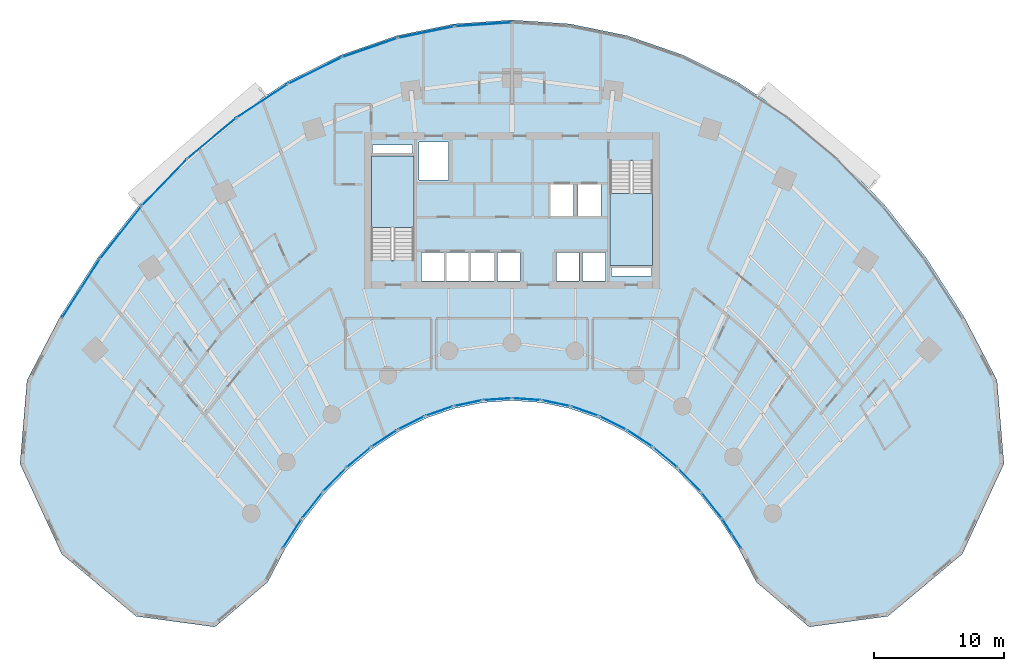
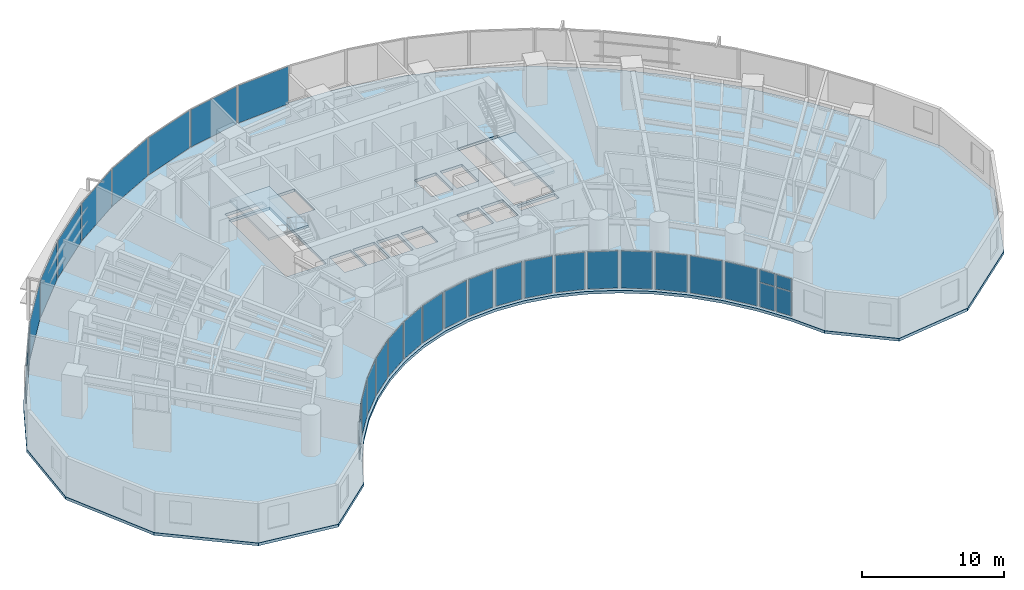
# One storey, part 9 of 17: 33 plates, 3 slabs, 29 elements without a shape of their own.
"""IFC4 building model written with IfcOpenShell, lengths in metres."""

from ifc_helpers import new_model, si_unit, direction, frame, origin, origin_2d, place, context, subcontext, project, spatial, polyline, rectangle, outline, extrude, source, transform, mapped, material, layer, layer_set, type_object, type_shapes, element, aggregate, save


model = new_model("IFC4")

# Units and contexts
model_context = context("Model", 3, precision=1e-05, world=origin(), true_north=direction((0.0, 1.0)))
body_context = subcontext(model_context, "Body", "Model", "MODEL_VIEW")
ifc_project = project(units=[si_unit("LENGTHUNIT", "METRE"), si_unit("AREAUNIT", "SQUARE_METRE"), si_unit("VOLUMEUNIT", "CUBIC_METRE"), si_unit("PLANEANGLEUNIT", "RADIAN"), si_unit("MASSUNIT", "GRAM", prefix="KILO")], contexts=[model_context])

# Site, building, storey
site_placement = place(None, origin())
site = spatial("IfcSite", under=ifc_project, at=site_placement, CompositionType="ELEMENT")
building_placement = place(site_placement, origin())
building = spatial("IfcBuilding", under=site, at=building_placement, Name="Breltana Convention Tower", CompositionType="ELEMENT")
storey_placement = place(building_placement, frame((0.0, 0.0, 75.0)))
storey = spatial("IfcBuildingStorey", under=building, at=storey_placement, Name="L17", CompositionType="ELEMENT", Elevation=75.0)

# Slab
ifc_material_1 = material(Name="Concrete C40/50", Category="concrete")
ifc_layer_1 = layer(ifc_material_1, 0.239990234375, Name="Concrete C40/50")
ifc_layer_set_1 = layer_set([ifc_layer_1], Name="Concrete C40/50")
slab_type_1 = type_object("IfcSlabType", Name="SL-HTL-240", PredefinedType="FLOOR", material=ifc_layer_set_1)
slab_1_placement = place(storey_placement, frame((0.0, 0.0, -0.239990234375)))
element("IfcSlab", 1, at=slab_1_placement, inside=storey, type_object=slab_type_1, Name="L17 Suspended Structural Floor Slab", PredefinedType="FLOOR", context=body_context, shape_type="SweptSolid", body=[
    extrude(outline(polyline([(85.229248046875, 53.173095703125), (82.687744140625, 58.054931640625), (79.791015625, 62.567626953125), (76.569091796875, 66.664794921875), (73.05419921875, 70.304931640625), (69.283203125, 73.450439453125), (65.2939453125, 76.069091796875), (61.1279296875, 78.134033203125), (56.827392578125, 79.62451171875), (52.436279296875, 80.52490234375), (48.0, 80.825927734375), (43.563720703125, 80.52490234375), (39.172607421875, 79.62451171875), (34.8720703125, 78.134033203125), (30.7060546875, 76.069091796875), (26.716796875, 73.450439453125), (22.94580078125, 70.304931640625), (19.430908203125, 66.664794921875), (16.208984375, 62.567626953125), (13.312255859375, 58.054931640625), (10.770751953125, 53.173095703125), (10.234619140625, 46.75927734375), (13.433837890625, 39.8388671875), (19.14697265625, 35.055419921875), (25.191162109375, 34.235595703125), (29.258056640625, 37.693115234375), (30.53759765625, 40.150634765625), (31.995849609375, 42.42236328125), (33.617919921875, 44.485107421875), (35.38720703125, 46.3173828125), (37.28564453125, 47.90087890625), (39.2939453125, 49.21923828125), (41.39111328125, 50.2587890625), (43.55615234375, 51.009033203125), (45.7666015625, 51.46240234375), (48.0, 51.614013671875), (50.2333984375, 51.46240234375), (52.44384765625, 51.009033203125), (54.60888671875, 50.2587890625), (56.7060546875, 49.21923828125), (58.71435546875, 47.90087890625), (60.61279296875, 46.3173828125), (62.382080078125, 44.485107421875), (64.004150390625, 42.42236328125), (65.46240234375, 40.150634765625), (66.741943359375, 37.693115234375), (70.808837890625, 34.235595703125), (76.85302734375, 35.055419921875), (82.566162109375, 39.8388671875), (85.765380859375, 46.75927734375), (85.229248046875, 53.173095703125)]), holes=[polyline([(37.199951171875, 62.385009765625), (40.469970703125, 62.385009765625), (40.469970703125, 70.39990234375), (37.199951171875, 70.39990234375), (37.199951171875, 62.385009765625)]), polyline([(55.530029296875, 62.0), (58.800048828125, 62.0), (58.800048828125, 70.014892578125), (55.530029296875, 70.014892578125), (55.530029296875, 62.0)]), polyline([(41.0400390625, 60.800048828125), (42.800048828125, 60.800048828125), (42.800048828125, 62.97998046875), (41.0400390625, 62.97998046875), (41.0400390625, 60.800048828125)]), polyline([(42.93994140625, 60.800048828125), (44.699951171875, 60.800048828125), (44.699951171875, 62.97998046875), (42.93994140625, 62.97998046875), (42.93994140625, 60.800048828125)]), polyline([(44.8701171875, 60.800048828125), (46.6298828125, 60.800048828125), (46.6298828125, 62.97998046875), (44.8701171875, 62.97998046875), (44.8701171875, 60.800048828125)]), polyline([(46.8701171875, 60.800048828125), (48.6298828125, 60.800048828125), (48.6298828125, 62.97998046875), (46.8701171875, 62.97998046875), (46.8701171875, 60.800048828125)]), polyline([(51.39990234375, 60.800048828125), (53.159912109375, 60.800048828125), (53.159912109375, 62.97998046875), (51.39990234375, 62.97998046875), (51.39990234375, 60.800048828125)]), polyline([(53.39990234375, 60.800048828125), (55.159912109375, 60.800048828125), (55.159912109375, 62.97998046875), (53.39990234375, 62.97998046875), (53.39990234375, 60.800048828125)]), polyline([(50.969970703125, 65.800048828125), (52.72998046875, 65.800048828125), (52.72998046875, 68.179931640625), (50.969970703125, 68.179931640625), (50.969970703125, 65.800048828125)]), polyline([(53.070068359375, 65.800048828125), (54.830078125, 65.800048828125), (54.830078125, 68.179931640625), (53.070068359375, 68.179931640625), (53.070068359375, 65.800048828125)]), polyline([(40.8798828125, 68.550048828125), (43.1201171875, 68.550048828125), (43.1201171875, 71.449951171875), (40.8798828125, 71.449951171875), (40.8798828125, 68.550048828125)]), polyline([(37.300048828125, 70.60009765625), (40.3798828125, 70.60009765625), (40.3798828125, 71.219970703125), (37.300048828125, 71.219970703125), (37.300048828125, 70.60009765625)]), polyline([(55.6201171875, 61.179931640625), (58.699951171875, 61.179931640625), (58.699951171875, 61.800048828125), (55.6201171875, 61.800048828125), (55.6201171875, 61.179931640625)])]), origin(), (0.0, 0.0, 1.0), 0.239990234375),
])

# Stair, slab
stair_type = type_object("IfcStairType", Name="ST-DOG-1560-R180", PredefinedType="HALF_TURN_STAIR", material=ifc_material_1)
stair_1_placement = place(storey_placement, origin())
stair_1 = element("IfcStair", 2, at=stair_1_placement, inside=storey, type_object=stair_type, Name="L17 Protected Core Exit Stair ST-1", PredefinedType="HALF_TURN_STAIR")
ifc_layer_2 = layer(ifc_material_1, 0.199951171875, Name="Concrete C40/50")
ifc_layer_set_2 = layer_set([ifc_layer_2], Name="Concrete C40/50")
slab_type_2 = type_object("IfcSlabType", Name="SL-STAIR-LANDING-200", PredefinedType="LANDING", material=ifc_layer_set_2)
slab_2_placement = place(storey_placement, frame((0.0, 0.0, 1.60009765625)))
slab_2 = element("IfcSlab", 3, at=slab_2_placement, type_object=slab_type_2, Name="ST-1 landing 1", PredefinedType="LANDING", context=body_context, shape_type="SweptSolid", body=[
    extrude(outline(polyline([(40.469970703125, 64.8798828125), (40.469970703125, 70.39990234375), (37.199951171875, 70.39990234375), (37.199951171875, 64.8798828125), (40.469970703125, 64.8798828125)])), origin(), (0.0, 0.0, 1.0), 0.199951171875),
])
aggregate(stair_1, [slab_2])

stair_2_placement = place(storey_placement, origin())
stair_2 = element("IfcStair", 4, at=stair_2_placement, inside=storey, type_object=stair_type, Name="L17 Protected Core Exit Stair ST-2", PredefinedType="HALF_TURN_STAIR")
slab_3_placement = place(storey_placement, frame((0.0, 0.0, 1.60009765625)))
slab_3 = element("IfcSlab", 5, at=slab_3_placement, type_object=slab_type_2, Name="ST-2 landing 1", PredefinedType="LANDING", context=body_context, shape_type="SweptSolid", body=[
    extrude(outline(polyline([(55.530029296875, 67.52001953125), (55.530029296875, 62.0), (58.800048828125, 62.0), (58.800048828125, 67.52001953125), (55.530029296875, 67.52001953125)])), origin(), (0.0, 0.0, 1.0), 0.199951171875),
])
aggregate(stair_2, [slab_3])

# Curtain wall, plates
ifc_material_2 = material(Name="Aluminium Anodised Bronze Frame", Category="aluminium")
ifc_layer_3 = layer(ifc_material_2, 0.18994140625, Name="Aluminium Anodised Bronze Frame")
ifc_layer_set_3 = layer_set([ifc_layer_3], Name="Aluminium Anodised Bronze Frame")
curtain_wall_type_1 = type_object("IfcCurtainWallType", Name="CW-SYS-1", PredefinedType="NOTDEFINED", material=ifc_layer_set_3)
curtain_wall_1_placement = place(storey_placement, origin())
curtain_wall_1 = element("IfcCurtainWall", 6, at=curtain_wall_1_placement, inside=storey, type_object=curtain_wall_type_1, Name="L17 inner south-court glazing 1", PredefinedType="NOTDEFINED")
ifc_material_3 = material(Name="Glass Low-E Double Glazing", Category="glass")
ifc_layer_4 = layer(ifc_material_3, 0.028076171875, Name="Glass Low-E Double Glazing")
ifc_layer_set_4 = layer_set([ifc_layer_4], Name="Glass Low-E Double Glazing")
plate_type_1 = type_object("IfcPlateType", Name="CWP-IGU-28", PredefinedType="CURTAIN_PANEL", material=ifc_layer_set_4)
shared_shape_1 = source(origin(), body_context, "Body", "SweptSolid", [
    extrude(rectangle(XDim=1.229736328125, YDim=0.028076171875, at=origin_2d()), origin(), (0.0, 0.0, 1.0), 2.06396484375),
])
plate_1_placement = place(storey_placement, frame((65.238525390625, 40.83251953125, 0.080078125), z_axis=(0.0, 0.0, 1.0), x_axis=(-0.540169576197, 0.841556194767, 0.0)))
plate_1 = element("IfcPlate", 7, at=plate_1_placement, type_object=plate_type_1, Name="CW-01 panel 1.1", PredefinedType="CURTAIN_PANEL", context=body_context, shape_type="MappedRepresentation", body=[
    mapped(shared_shape_1, transform((0.0, 0.0, 0.0), scale=1.0)),
])
plate_2_placement = place(storey_placement, frame((64.531005859375, 41.934814453125, 0.080078125), z_axis=(0.0, 0.0, 1.0), x_axis=(-0.540169576197, 0.841556194767, 0.0)))
plate_2 = element("IfcPlate", 8, at=plate_2_placement, type_object=plate_type_1, Name="CW-01 panel 2.1", PredefinedType="CURTAIN_PANEL", context=body_context, shape_type="MappedRepresentation", body=[
    mapped(shared_shape_1, transform((0.0, 0.0, 0.0), scale=1.0)),
])
shared_shape_2 = source(origin(), body_context, "Body", "SweptSolid", [
    extrude(rectangle(XDim=1.229736328125, YDim=0.028076171875, at=origin_2d()), origin(), (0.0, 0.0, 1.0), 1.055908203125),
])
plate_3_placement = place(storey_placement, frame((65.238525390625, 40.83251953125, 2.22412109375), z_axis=(0.0, 0.0, 1.0), x_axis=(-0.540169576197, 0.841556194767, 0.0)))
plate_3 = element("IfcPlate", 9, at=plate_3_placement, type_object=plate_type_1, Name="CW-01 panel 1.2", PredefinedType="CURTAIN_PANEL", context=body_context, shape_type="MappedRepresentation", body=[
    mapped(shared_shape_2, transform((0.0, 0.0, 0.0), scale=1.0)),
])
plate_4_placement = place(storey_placement, frame((64.531005859375, 41.934814453125, 2.22412109375), z_axis=(0.0, 0.0, 1.0), x_axis=(-0.540169576197, 0.841556194767, 0.0)))
plate_4 = element("IfcPlate", 10, at=plate_4_placement, type_object=plate_type_1, Name="CW-01 panel 2.2", PredefinedType="CURTAIN_PANEL", context=body_context, shape_type="MappedRepresentation", body=[
    mapped(shared_shape_2, transform((0.0, 0.0, 0.0), scale=1.0)),
])
aggregate(curtain_wall_1, [plate_1, plate_3, plate_2, plate_4])

# Curtain wall, plate
curtain_wall_2_placement = place(storey_placement, origin())
curtain_wall_2 = element("IfcCurtainWall", 11, at=curtain_wall_2_placement, inside=storey, type_object=curtain_wall_type_1, Name="L17 inner south-court glazing 2", PredefinedType="NOTDEFINED")
shared_shape_3 = source(origin(), body_context, "Body", "SweptSolid", [
    extrude(rectangle(XDim=2.464111328125, YDim=0.028076171875, at=origin_2d()), origin(), (0.0, 0.0, 1.0), 3.199951171875),
])
plate_5_placement = place(storey_placement, frame((63.334716796875, 43.56494140625, 0.080078125), z_axis=(0.0, 0.0, 1.0), x_axis=(-0.61815305034, 0.786057762734, 0.0)))
plate_5 = element("IfcPlate", 12, at=plate_5_placement, type_object=plate_type_1, Name="CW-01 panel 1.1", PredefinedType="CURTAIN_PANEL", context=body_context, shape_type="MappedRepresentation", body=[
    mapped(shared_shape_3, transform((0.0, 0.0, 0.0), scale=1.0)),
])
aggregate(curtain_wall_2, [plate_5])

curtain_wall_3_placement = place(storey_placement, origin())
curtain_wall_3 = element("IfcCurtainWall", 13, at=curtain_wall_3_placement, inside=storey, type_object=curtain_wall_type_1, Name="L17 inner south-court glazing 17", PredefinedType="NOTDEFINED")
plate_6_placement = place(storey_placement, frame((32.665283203125, 43.56494140625, 0.080078125), z_axis=(0.0, 0.0, 1.0), x_axis=(-0.61815305034, -0.786057762734, 0.0)))
plate_6 = element("IfcPlate", 14, at=plate_6_placement, type_object=plate_type_1, Name="CW-01 panel 1.1", PredefinedType="CURTAIN_PANEL", context=body_context, shape_type="MappedRepresentation", body=[
    mapped(shared_shape_3, transform((0.0, 0.0, 0.0), scale=1.0)),
])
aggregate(curtain_wall_3, [plate_6])

curtain_wall_4_placement = place(storey_placement, origin())
curtain_wall_4 = element("IfcCurtainWall", 15, at=curtain_wall_4_placement, inside=storey, type_object=curtain_wall_type_1, Name="L17 inner south-court glazing 3", PredefinedType="NOTDEFINED")
shared_shape_4 = source(origin(), body_context, "Body", "SweptSolid", [
    extrude(rectangle(XDim=2.38720703125, YDim=0.028076171875, at=origin_2d()), origin(), (0.0, 0.0, 1.0), 3.199951171875),
])
plate_7_placement = place(storey_placement, frame((61.626953125, 45.5263671875, 0.080078125), z_axis=(0.0, 0.0, 1.0), x_axis=(-0.694612029111, 0.719384548773, 0.0)))
plate_7 = element("IfcPlate", 16, at=plate_7_placement, type_object=plate_type_1, Name="CW-01 panel 1.1", PredefinedType="CURTAIN_PANEL", context=body_context, shape_type="MappedRepresentation", body=[
    mapped(shared_shape_4, transform((0.0, 0.0, 0.0), scale=1.0)),
])
aggregate(curtain_wall_4, [plate_7])

curtain_wall_5_placement = place(storey_placement, origin())
curtain_wall_5 = element("IfcCurtainWall", 17, at=curtain_wall_5_placement, inside=storey, type_object=curtain_wall_type_1, Name="L17 inner south-court glazing 16", PredefinedType="NOTDEFINED")
plate_8_placement = place(storey_placement, frame((34.373046875, 45.5263671875, 0.080078125), z_axis=(0.0, 0.0, 1.0), x_axis=(-0.694612029111, -0.719384548773, 0.0)))
plate_8 = element("IfcPlate", 18, at=plate_8_placement, type_object=plate_type_1, Name="CW-01 panel 1.1", PredefinedType="CURTAIN_PANEL", context=body_context, shape_type="MappedRepresentation", body=[
    mapped(shared_shape_4, transform((0.0, 0.0, 0.0), scale=1.0)),
])
aggregate(curtain_wall_5, [plate_8])

curtain_wall_6_placement = place(storey_placement, origin())
curtain_wall_6 = element("IfcCurtainWall", 19, at=curtain_wall_6_placement, inside=storey, type_object=curtain_wall_type_1, Name="L17 inner south-court glazing 4", PredefinedType="NOTDEFINED")
shared_shape_5 = source(origin(), body_context, "Body", "SweptSolid", [
    extrude(rectangle(XDim=2.312255859375, YDim=0.028076171875, at=origin_2d()), origin(), (0.0, 0.0, 1.0), 3.199951171875),
])
plate_9_placement = place(storey_placement, frame((59.77880859375, 47.24755859375, 0.080078125), z_axis=(0.0, 0.0, 1.0), x_axis=(-0.767939382804, 0.640522524458, 0.0)))
plate_9 = element("IfcPlate", 20, at=plate_9_placement, type_object=plate_type_1, Name="CW-01 panel 1.1", PredefinedType="CURTAIN_PANEL", context=body_context, shape_type="MappedRepresentation", body=[
    mapped(shared_shape_5, transform((0.0, 0.0, 0.0), scale=1.0)),
])
aggregate(curtain_wall_6, [plate_9])

curtain_wall_7_placement = place(storey_placement, origin())
curtain_wall_7 = element("IfcCurtainWall", 21, at=curtain_wall_7_placement, inside=storey, type_object=curtain_wall_type_1, Name="L17 inner south-court glazing 15", PredefinedType="NOTDEFINED")
plate_10_placement = place(storey_placement, frame((36.22119140625, 47.24755859375, 0.080078125), z_axis=(0.0, 0.0, 1.0), x_axis=(-0.767939382804, -0.640522524458, 0.0)))
plate_10 = element("IfcPlate", 22, at=plate_10_placement, type_object=plate_type_1, Name="CW-01 panel 1.1", PredefinedType="CURTAIN_PANEL", context=body_context, shape_type="MappedRepresentation", body=[
    mapped(shared_shape_5, transform((0.0, 0.0, 0.0), scale=1.0)),
])
aggregate(curtain_wall_7, [plate_10])

curtain_wall_8_placement = place(storey_placement, origin())
curtain_wall_8 = element("IfcCurtainWall", 23, at=curtain_wall_8_placement, inside=storey, type_object=curtain_wall_type_1, Name="L17 inner south-court glazing 5", PredefinedType="NOTDEFINED")
shared_shape_6 = source(origin(), body_context, "Body", "SweptSolid", [
    extrude(rectangle(XDim=2.2421875, YDim=0.028076171875, at=origin_2d()), origin(), (0.0, 0.0, 1.0), 3.199951171875),
])
plate_11_placement = place(storey_placement, frame((57.80908203125, 48.710693359375, 0.080078125), z_axis=(0.0, 0.0, 1.0), x_axis=(-0.835967942634, 0.548778278441, 0.0)))
plate_11 = element("IfcPlate", 24, at=plate_11_placement, type_object=plate_type_1, Name="CW-01 panel 1.1", PredefinedType="CURTAIN_PANEL", context=body_context, shape_type="MappedRepresentation", body=[
    mapped(shared_shape_6, transform((0.0, 0.0, 0.0), scale=1.0)),
])
aggregate(curtain_wall_8, [plate_11])

curtain_wall_9_placement = place(storey_placement, origin())
curtain_wall_9 = element("IfcCurtainWall", 25, at=curtain_wall_9_placement, inside=storey, type_object=curtain_wall_type_1, Name="L17 inner south-court glazing 14", PredefinedType="NOTDEFINED")
plate_12_placement = place(storey_placement, frame((38.19091796875, 48.710693359375, 0.080078125), z_axis=(0.0, 0.0, 1.0), x_axis=(-0.835967942634, -0.548778278441, 0.0)))
plate_12 = element("IfcPlate", 26, at=plate_12_placement, type_object=plate_type_1, Name="CW-01 panel 1.1", PredefinedType="CURTAIN_PANEL", context=body_context, shape_type="MappedRepresentation", body=[
    mapped(shared_shape_6, transform((0.0, 0.0, 0.0), scale=1.0)),
])
aggregate(curtain_wall_9, [plate_12])

curtain_wall_10_placement = place(storey_placement, origin())
curtain_wall_10 = element("IfcCurtainWall", 27, at=curtain_wall_10_placement, inside=storey, type_object=curtain_wall_type_1, Name="L17 inner south-court glazing 6", PredefinedType="NOTDEFINED")
shared_shape_7 = source(origin(), body_context, "Body", "SweptSolid", [
    extrude(rectangle(XDim=2.180908203125, YDim=0.028076171875, at=origin_2d()), origin(), (0.0, 0.0, 1.0), 3.199951171875),
])
plate_13_placement = place(storey_placement, frame((55.7373046875, 49.900390625, 0.080078125), z_axis=(0.0, 0.0, 1.0), x_axis=(-0.895968310315, 0.444117987602, 0.0)))
plate_13 = element("IfcPlate", 28, at=plate_13_placement, type_object=plate_type_1, Name="CW-01 panel 1.1", PredefinedType="CURTAIN_PANEL", context=body_context, shape_type="MappedRepresentation", body=[
    mapped(shared_shape_7, transform((0.0, 0.0, 0.0), scale=1.0)),
])
aggregate(curtain_wall_10, [plate_13])

curtain_wall_11_placement = place(storey_placement, origin())
curtain_wall_11 = element("IfcCurtainWall", 29, at=curtain_wall_11_placement, inside=storey, type_object=curtain_wall_type_1, Name="L17 inner south-court glazing 13", PredefinedType="NOTDEFINED")
plate_14_placement = place(storey_placement, frame((40.2626953125, 49.900390625, 0.080078125), z_axis=(0.0, 0.0, 1.0), x_axis=(-0.895968310315, -0.444117987602, 0.0)))
plate_14 = element("IfcPlate", 30, at=plate_14_placement, type_object=plate_type_1, Name="CW-01 panel 1.1", PredefinedType="CURTAIN_PANEL", context=body_context, shape_type="MappedRepresentation", body=[
    mapped(shared_shape_7, transform((0.0, 0.0, 0.0), scale=1.0)),
])
aggregate(curtain_wall_11, [plate_14])

curtain_wall_12_placement = place(storey_placement, origin())
curtain_wall_12 = element("IfcCurtainWall", 31, at=curtain_wall_12_placement, inside=storey, type_object=curtain_wall_type_1, Name="L17 inner south-court glazing 7", PredefinedType="NOTDEFINED")
shared_shape_8 = source(origin(), body_context, "Body", "SweptSolid", [
    extrude(rectangle(XDim=2.13134765625, YDim=0.028076171875, at=origin_2d()), origin(), (0.0, 0.0, 1.0), 3.199951171875),
])
plate_15_placement = place(storey_placement, frame((53.585205078125, 50.80419921875, 0.080078125), z_axis=(0.0, 0.0, 1.0), x_axis=(-0.944881211406, 0.327413341714, 0.0)))
plate_15 = element("IfcPlate", 32, at=plate_15_placement, type_object=plate_type_1, Name="CW-01 panel 1.1", PredefinedType="CURTAIN_PANEL", context=body_context, shape_type="MappedRepresentation", body=[
    mapped(shared_shape_8, transform((0.0, 0.0, 0.0), scale=1.0)),
])
aggregate(curtain_wall_12, [plate_15])

curtain_wall_13_placement = place(storey_placement, origin())
curtain_wall_13 = element("IfcCurtainWall", 33, at=curtain_wall_13_placement, inside=storey, type_object=curtain_wall_type_1, Name="L17 inner south-court glazing 12", PredefinedType="NOTDEFINED")
plate_16_placement = place(storey_placement, frame((42.414794921875, 50.80419921875, 0.080078125), z_axis=(0.0, 0.0, 1.0), x_axis=(-0.944881211406, -0.327413341714, 0.0)))
plate_16 = element("IfcPlate", 34, at=plate_16_placement, type_object=plate_type_1, Name="CW-01 panel 1.1", PredefinedType="CURTAIN_PANEL", context=body_context, shape_type="MappedRepresentation", body=[
    mapped(shared_shape_8, transform((0.0, 0.0, 0.0), scale=1.0)),
])
aggregate(curtain_wall_13, [plate_16])

curtain_wall_14_placement = place(storey_placement, origin())
curtain_wall_14 = element("IfcCurtainWall", 35, at=curtain_wall_14_placement, inside=storey, type_object=curtain_wall_type_1, Name="L17 inner south-court glazing 8", PredefinedType="NOTDEFINED")
shared_shape_9 = source(origin(), body_context, "Body", "SweptSolid", [
    extrude(rectangle(XDim=2.096435546875, YDim=0.028076171875, at=origin_2d()), origin(), (0.0, 0.0, 1.0), 3.199951171875),
])
plate_17_placement = place(storey_placement, frame((51.374755859375, 51.412109375, 0.080078125), z_axis=(0.0, 0.0, 1.0), x_axis=(-0.97961455393, 0.200886350278, 0.0)))
plate_17 = element("IfcPlate", 36, at=plate_17_placement, type_object=plate_type_1, Name="CW-01 panel 1.1", PredefinedType="CURTAIN_PANEL", context=body_context, shape_type="MappedRepresentation", body=[
    mapped(shared_shape_9, transform((0.0, 0.0, 0.0), scale=1.0)),
])
aggregate(curtain_wall_14, [plate_17])

curtain_wall_15_placement = place(storey_placement, origin())
curtain_wall_15 = element("IfcCurtainWall", 37, at=curtain_wall_15_placement, inside=storey, type_object=curtain_wall_type_1, Name="L17 inner south-court glazing 11", PredefinedType="NOTDEFINED")
plate_18_placement = place(storey_placement, frame((44.625244140625, 51.412109375, 0.080078125), z_axis=(0.0, 0.0, 1.0), x_axis=(-0.97961455393, -0.200886350278, 0.0)))
plate_18 = element("IfcPlate", 38, at=plate_18_placement, type_object=plate_type_1, Name="CW-01 panel 1.1", PredefinedType="CURTAIN_PANEL", context=body_context, shape_type="MappedRepresentation", body=[
    mapped(shared_shape_9, transform((0.0, 0.0, 0.0), scale=1.0)),
])
aggregate(curtain_wall_15, [plate_18])

curtain_wall_16_placement = place(storey_placement, origin())
curtain_wall_16 = element("IfcCurtainWall", 39, at=curtain_wall_16_placement, inside=storey, type_object=curtain_wall_type_1, Name="L17 inner south-court glazing 9", PredefinedType="NOTDEFINED")
shared_shape_10 = source(origin(), body_context, "Body", "SweptSolid", [
    extrude(rectangle(XDim=2.078369140625, YDim=0.028076171875, at=origin_2d()), origin(), (0.0, 0.0, 1.0), 3.199951171875),
])
plate_19_placement = place(storey_placement, frame((49.12890625, 51.7177734375, 0.080078125), z_axis=(0.0, 0.0, 1.0), x_axis=(-0.997703975371, 0.067725752326, 0.0)))
plate_19 = element("IfcPlate", 40, at=plate_19_placement, type_object=plate_type_1, Name="CW-01 panel 1.1", PredefinedType="CURTAIN_PANEL", context=body_context, shape_type="MappedRepresentation", body=[
    mapped(shared_shape_10, transform((0.0, 0.0, 0.0), scale=1.0)),
])
aggregate(curtain_wall_16, [plate_19])

curtain_wall_17_placement = place(storey_placement, origin())
curtain_wall_17 = element("IfcCurtainWall", 41, at=curtain_wall_17_placement, inside=storey, type_object=curtain_wall_type_1, Name="L17 inner south-court glazing 10", PredefinedType="NOTDEFINED")
plate_20_placement = place(storey_placement, frame((46.87109375, 51.7177734375, 0.080078125), z_axis=(0.0, 0.0, 1.0), x_axis=(-0.997703975371, -0.067725752326, 0.0)))
plate_20 = element("IfcPlate", 42, at=plate_20_placement, type_object=plate_type_1, Name="CW-01 panel 1.1", PredefinedType="CURTAIN_PANEL", context=body_context, shape_type="MappedRepresentation", body=[
    mapped(shared_shape_10, transform((0.0, 0.0, 0.0), scale=1.0)),
])
aggregate(curtain_wall_17, [plate_20])

curtain_wall_18_placement = place(storey_placement, origin())
curtain_wall_18 = element("IfcCurtainWall", 43, at=curtain_wall_18_placement, inside=storey, type_object=curtain_wall_type_1, Name="L17 inner south-court glazing 18", PredefinedType="NOTDEFINED")
shared_shape_11 = source(origin(), body_context, "Body", "SweptSolid", [
    extrude(rectangle(XDim=2.53955078125, YDim=0.028076171875, at=origin_2d()), origin(), (0.0, 0.0, 1.0), 3.199951171875),
])
plate_21_placement = place(storey_placement, frame((31.115234375, 41.3837890625, 0.080078125), z_axis=(0.0, 0.0, 1.0), x_axis=(-0.540169576197, -0.841556194767, 0.0)))
plate_21 = element("IfcPlate", 44, at=plate_21_placement, type_object=plate_type_1, Name="CW-01 panel 1.1", PredefinedType="CURTAIN_PANEL", context=body_context, shape_type="MappedRepresentation", body=[
    mapped(shared_shape_11, transform((0.0, 0.0, 0.0), scale=1.0)),
])
aggregate(curtain_wall_18, [plate_21])

# Curtain wall, plates
ifc_layer_5 = layer(ifc_material_2, 0.199951171875, Name="Aluminium Anodised Bronze Frame")
ifc_layer_set_5 = layer_set([ifc_layer_5], Name="Aluminium Anodised Bronze Frame")
curtain_wall_type_2 = type_object("IfcCurtainWallType", Name="CW-SYS-2", PredefinedType="NOTDEFINED", material=ifc_layer_set_5)
curtain_wall_19_placement = place(storey_placement, origin())
curtain_wall_19 = element("IfcCurtainWall", 45, at=curtain_wall_19_placement, inside=storey, type_object=curtain_wall_type_2, Name="L17 outer double-skin inner glazing 1", PredefinedType="NOTDEFINED")
ifc_layer_6 = layer(ifc_material_3, 0.031982421875, Name="Glass Low-E Double Glazing")
ifc_layer_set_6 = layer_set([ifc_layer_6], Name="Glass Low-E Double Glazing")
plate_type_2 = type_object("IfcPlateType", Name="CWP-IGU-32", PredefinedType="CURTAIN_PANEL", material=ifc_layer_set_6)
shared_shape_12 = source(origin(), body_context, "Body", "SweptSolid", [
    extrude(rectangle(XDim=2.56787109375, YDim=0.031982421875, at=origin_2d()), origin(), (0.0, 0.0, 1.0), 2.0791015625),
])
type_shapes(plate_type_2, [shared_shape_12])
plate_22_placement = place(storey_placement, frame((14.199462890625, 59.103759765625, 0.070068359375), z_axis=(0.0, 0.0, 1.0), x_axis=(0.540180724109, 0.841549039154, 0.0)))
plate_22 = element("IfcPlate", 46, at=plate_22_placement, type_object=plate_type_2, Name="CW-02 panel 1.1", PredefinedType="CURTAIN_PANEL", context=body_context, shape_type="MappedRepresentation", body=[
    mapped(shared_shape_12, transform((0.0, 0.0, 0.0), scale=1.0)),
])
plate_23_placement = place(storey_placement, frame((15.624267578125, 61.32373046875, 0.070068359375), z_axis=(0.0, 0.0, 1.0), x_axis=(0.540180724109, 0.841549039154, 0.0)))
plate_23 = element("IfcPlate", 47, at=plate_23_placement, type_object=plate_type_2, Name="CW-02 panel 2.1", PredefinedType="CURTAIN_PANEL", context=body_context, shape_type="MappedRepresentation", body=[
    mapped(shared_shape_12, transform((0.0, 0.0, 0.0), scale=1.0)),
])
shared_shape_13 = source(origin(), body_context, "Body", "SweptSolid", [
    extrude(rectangle(XDim=2.56787109375, YDim=0.031982421875, at=origin_2d()), origin(), (0.0, 0.0, 1.0), 1.071044921875),
])
plate_24_placement = place(storey_placement, frame((14.199462890625, 59.103759765625, 2.21875), z_axis=(0.0, 0.0, 1.0), x_axis=(0.540180724109, 0.841549039154, 0.0)))
plate_24 = element("IfcPlate", 48, at=plate_24_placement, type_object=plate_type_2, Name="CW-02 panel 1.2", PredefinedType="CURTAIN_PANEL", context=body_context, shape_type="MappedRepresentation", body=[
    mapped(shared_shape_13, transform((0.0, 0.0, 0.0), scale=1.0)),
])
plate_25_placement = place(storey_placement, frame((15.624267578125, 61.32373046875, 2.21875), z_axis=(0.0, 0.0, 1.0), x_axis=(0.540180724109, 0.841549039154, 0.0)))
plate_25 = element("IfcPlate", 49, at=plate_25_placement, type_object=plate_type_2, Name="CW-02 panel 2.2", PredefinedType="CURTAIN_PANEL", context=body_context, shape_type="MappedRepresentation", body=[
    mapped(shared_shape_13, transform((0.0, 0.0, 0.0), scale=1.0)),
])
aggregate(curtain_wall_19, [plate_22, plate_24, plate_23, plate_25])

# Curtain wall, plate
curtain_wall_20_placement = place(storey_placement, origin())
curtain_wall_20 = element("IfcCurtainWall", 50, at=curtain_wall_20_placement, inside=storey, type_object=curtain_wall_type_2, Name="L17 outer double-skin inner glazing 2", PredefinedType="NOTDEFINED")
shared_shape_14 = source(origin(), body_context, "Body", "SweptSolid", [
    extrude(rectangle(XDim=5.0546875, YDim=0.031982421875, at=origin_2d()), origin(), (0.0, 0.0, 1.0), 3.219970703125),
])
plate_26_placement = place(storey_placement, frame((17.961181640625, 64.504638671875, 0.06982421875), z_axis=(0.0, 0.0, 1.0), x_axis=(0.618153917633, 0.786057080698, 0.0)))
plate_26 = element("IfcPlate", 51, at=plate_26_placement, type_object=plate_type_2, Name="CW-02 panel 1.1", PredefinedType="CURTAIN_PANEL", context=body_context, shape_type="MappedRepresentation", body=[
    mapped(shared_shape_14, transform((0.0, 0.0, 0.0), scale=1.0)),
])
aggregate(curtain_wall_20, [plate_26])

curtain_wall_21_placement = place(storey_placement, origin())
curtain_wall_21 = element("IfcCurtainWall", 52, at=curtain_wall_21_placement, inside=storey, type_object=curtain_wall_type_2, Name="L17 outer double-skin inner glazing 3", PredefinedType="NOTDEFINED")
shared_shape_15 = source(origin(), body_context, "Body", "SweptSolid", [
    extrude(rectangle(XDim=4.901123046875, YDim=0.031982421875, at=origin_2d()), origin(), (0.0, 0.0, 1.0), 3.219970703125),
])
plate_27_placement = place(storey_placement, frame((21.317626953125, 68.359619140625, 0.06982421875), z_axis=(0.0, 0.0, 1.0), x_axis=(0.694610090106, 0.719386421003, 0.0)))
plate_27 = element("IfcPlate", 53, at=plate_27_placement, type_object=plate_type_2, Name="CW-02 panel 1.1", PredefinedType="CURTAIN_PANEL", context=body_context, shape_type="MappedRepresentation", body=[
    mapped(shared_shape_15, transform((0.0, 0.0, 0.0), scale=1.0)),
])
aggregate(curtain_wall_21, [plate_27])

curtain_wall_22_placement = place(storey_placement, origin())
curtain_wall_22 = element("IfcCurtainWall", 54, at=curtain_wall_22_placement, inside=storey, type_object=curtain_wall_type_2, Name="L17 outer double-skin inner glazing 4", PredefinedType="NOTDEFINED")
shared_shape_16 = source(origin(), body_context, "Body", "SweptSolid", [
    extrude(rectangle(XDim=4.7509765625, YDim=0.031982421875, at=origin_2d()), origin(), (0.0, 0.0, 1.0), 3.219970703125),
])
plate_28_placement = place(storey_placement, frame((24.9462890625, 71.7392578125, 0.06982421875), z_axis=(0.0, 0.0, 1.0), x_axis=(0.767941326958, 0.640520193554, 0.0)))
plate_28 = element("IfcPlate", 55, at=plate_28_placement, type_object=plate_type_2, Name="CW-02 panel 1.1", PredefinedType="CURTAIN_PANEL", context=body_context, shape_type="MappedRepresentation", body=[
    mapped(shared_shape_16, transform((0.0, 0.0, 0.0), scale=1.0)),
])
aggregate(curtain_wall_22, [plate_28])

curtain_wall_23_placement = place(storey_placement, origin())
curtain_wall_23 = element("IfcCurtainWall", 56, at=curtain_wall_23_placement, inside=storey, type_object=curtain_wall_type_2, Name="L17 outer double-skin inner glazing 5", PredefinedType="NOTDEFINED")
shared_shape_17 = source(origin(), body_context, "Body", "SweptSolid", [
    extrude(rectangle(XDim=4.610595703125, YDim=0.031982421875, at=origin_2d()), origin(), (0.0, 0.0, 1.0), 3.219970703125),
])
plate_29_placement = place(storey_placement, frame((28.81005859375, 74.609130859375, 0.06982421875), z_axis=(0.0, 0.0, 1.0), x_axis=(0.83596401875, 0.548784255746, 0.0)))
plate_29 = element("IfcPlate", 57, at=plate_29_placement, type_object=plate_type_2, Name="CW-02 panel 1.1", PredefinedType="CURTAIN_PANEL", context=body_context, shape_type="MappedRepresentation", body=[
    mapped(shared_shape_17, transform((0.0, 0.0, 0.0), scale=1.0)),
])
aggregate(curtain_wall_23, [plate_29])

curtain_wall_24_placement = place(storey_placement, origin())
curtain_wall_24 = element("IfcCurtainWall", 58, at=curtain_wall_24_placement, inside=storey, type_object=curtain_wall_type_2, Name="L17 outer double-skin inner glazing 6", PredefinedType="NOTDEFINED")
shared_shape_18 = source(origin(), body_context, "Body", "SweptSolid", [
    extrude(rectangle(XDim=4.487548828125, YDim=0.031982421875, at=origin_2d()), origin(), (0.0, 0.0, 1.0), 3.219970703125),
])
plate_30_placement = place(storey_placement, frame((32.86865234375, 76.940185546875, 0.06982421875), z_axis=(0.0, 0.0, 1.0), x_axis=(0.895973407804, 0.444107703726, 0.0)))
plate_30 = element("IfcPlate", 59, at=plate_30_placement, type_object=plate_type_2, Name="CW-02 panel 1.1", PredefinedType="CURTAIN_PANEL", context=body_context, shape_type="MappedRepresentation", body=[
    mapped(shared_shape_18, transform((0.0, 0.0, 0.0), scale=1.0)),
])
aggregate(curtain_wall_24, [plate_30])

curtain_wall_25_placement = place(storey_placement, origin())
curtain_wall_25 = element("IfcCurtainWall", 60, at=curtain_wall_25_placement, inside=storey, type_object=curtain_wall_type_2, Name="L17 outer double-skin inner glazing 7", PredefinedType="NOTDEFINED")
shared_shape_19 = source(origin(), body_context, "Body", "SweptSolid", [
    extrude(rectangle(XDim=4.388427734375, YDim=0.031982421875, at=origin_2d()), origin(), (0.0, 0.0, 1.0), 3.219970703125),
])
plate_31_placement = place(storey_placement, frame((37.0810546875, 78.709228515625, 0.06982421875), z_axis=(0.0, 0.0, 1.0), x_axis=(0.944876012163, 0.32742834581, 0.0)))
plate_31 = element("IfcPlate", 61, at=plate_31_placement, type_object=plate_type_2, Name="CW-02 panel 1.1", PredefinedType="CURTAIN_PANEL", context=body_context, shape_type="MappedRepresentation", body=[
    mapped(shared_shape_19, transform((0.0, 0.0, 0.0), scale=1.0)),
])
aggregate(curtain_wall_25, [plate_31])

curtain_wall_26_placement = place(storey_placement, origin())
curtain_wall_26 = element("IfcCurtainWall", 62, at=curtain_wall_26_placement, inside=storey, type_object=curtain_wall_type_2, Name="L17 outer double-skin inner glazing 8", PredefinedType="NOTDEFINED")
shared_shape_20 = source(origin(), body_context, "Body", "SweptSolid", [
    extrude(rectangle(XDim=4.318359375, YDim=0.031982421875, at=origin_2d()), origin(), (0.0, 0.0, 1.0), 3.219970703125),
])
plate_32_placement = place(storey_placement, frame((41.404296875, 79.898193359375, 0.06982421875), z_axis=(0.0, 0.0, 1.0), x_axis=(0.979614925743, 0.200884537139, 0.0)))
plate_32 = element("IfcPlate", 63, at=plate_32_placement, type_object=plate_type_2, Name="CW-02 panel 1.1", PredefinedType="CURTAIN_PANEL", context=body_context, shape_type="MappedRepresentation", body=[
    mapped(shared_shape_20, transform((0.0, 0.0, 0.0), scale=1.0)),
])
aggregate(curtain_wall_26, [plate_32])

curtain_wall_27_placement = place(storey_placement, origin())
curtain_wall_27 = element("IfcCurtainWall", 64, at=curtain_wall_27_placement, inside=storey, type_object=curtain_wall_type_2, Name="L17 outer double-skin inner glazing 9", PredefinedType="NOTDEFINED")
shared_shape_21 = source(origin(), body_context, "Body", "SweptSolid", [
    extrude(rectangle(XDim=4.2822265625, YDim=0.031982421875, at=origin_2d()), origin(), (0.0, 0.0, 1.0), 3.219970703125),
])
plate_33_placement = place(storey_placement, frame((45.7939453125, 80.495849609375, 0.06982421875), z_axis=(0.0, 0.0, 1.0), x_axis=(0.997703982282, 0.067725650529, 0.0)))
plate_33 = element("IfcPlate", 65, at=plate_33_placement, type_object=plate_type_2, Name="CW-02 panel 1.1", PredefinedType="CURTAIN_PANEL", context=body_context, shape_type="MappedRepresentation", body=[
    mapped(shared_shape_21, transform((0.0, 0.0, 0.0), scale=1.0)),
])
aggregate(curtain_wall_27, [plate_33])

save(model, "model.ifc")
